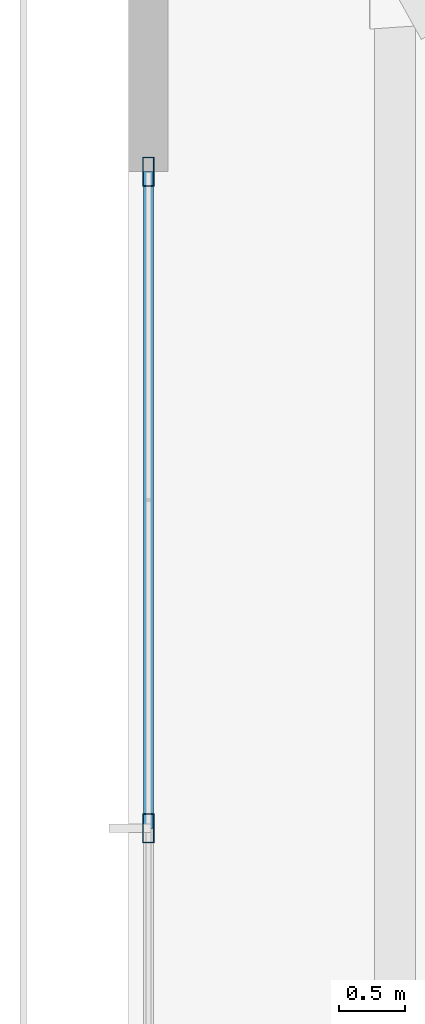
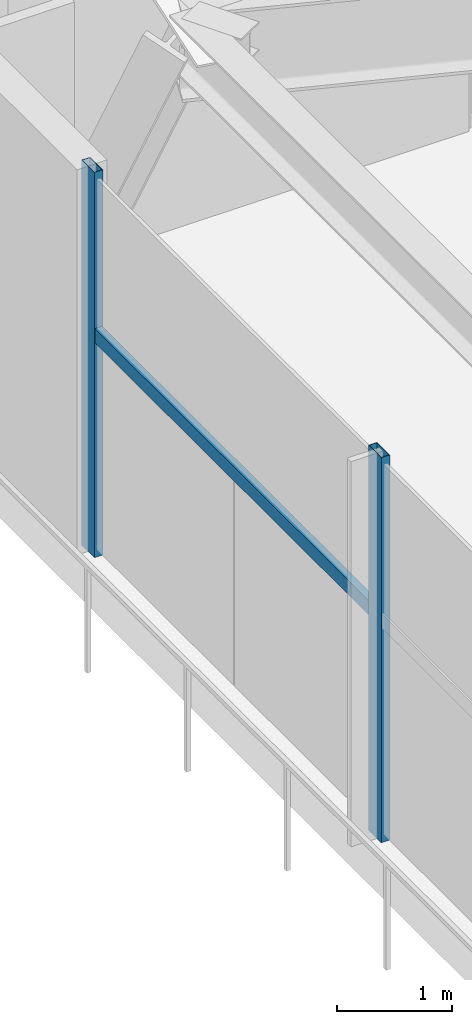
# One storey, part 10 of 33: 3 members, 1 element without a shape of its own.
"""IFC4 building model written with IfcOpenShell, lengths in metres."""

from ifc_helpers import new_model, si_unit, direction, frame, origin, origin_2d, place, context, subcontext, project, spatial, hollow_rectangle, extrude, source, transform, mapped, material, material_profile, profile_set, type_object, type_shapes, element, aggregate, save


model = new_model("IFC4")

# Units and contexts
model_context = context("Model", 3, precision=1e-05, world=origin(), true_north=direction((0.0, 1.0)))
body_context = subcontext(model_context, "Body", "Model", "MODEL_VIEW")
ifc_project = project(units=[si_unit("LENGTHUNIT", "METRE"), si_unit("AREAUNIT", "SQUARE_METRE"), si_unit("VOLUMEUNIT", "CUBIC_METRE"), si_unit("PLANEANGLEUNIT", "RADIAN"), si_unit("MASSUNIT", "GRAM", prefix="KILO")], contexts=[model_context])

# Site, building, storey
site_placement = place(None, origin())
site = spatial("IfcSite", under=ifc_project, at=site_placement, CompositionType="ELEMENT")
building_placement = place(site_placement, origin())
building = spatial("IfcBuilding", under=site, at=building_placement, Name="Astriad Promenade Condominiums", CompositionType="ELEMENT")
storey_placement = place(building_placement, frame((0.0, 0.0, 9.5)))
storey = spatial("IfcBuildingStorey", under=building, at=storey_placement, Name="L02", CompositionType="ELEMENT", Elevation=9.5)

# Curtain wall, members
ifc_material_1 = material(Name="Anodised aluminium Black Dark Glass Unitised", Category="aluminium")
curtain_wall_type = type_object("IfcCurtainWallType", Name="CW-POD-DARK", PredefinedType="USERDEFINED", material=ifc_material_1)
curtain_wall_placement = place(storey_placement, origin())
curtain_wall = element("IfcCurtainWall", 1, at=curtain_wall_placement, inside=storey, type_object=curtain_wall_type, Name="CW-L02-W", ObjectType="UNITISED_CURTAIN_WALL", PredefinedType="USERDEFINED")
ifc_material_2 = material(Name="Anodised aluminium 6063-T6 Black", Category="aluminium")
ifc_material_profile_1 = material_profile(ifc_material_2, hollow_rectangle(XDim=0.0849609375, YDim=0.219970703125, WallThickness=0.0048828125, at=origin_2d()), Name="ALU-MUL-85X220")
ifc_profile_set_1 = profile_set([ifc_material_profile_1], Name="Anodised aluminium 6063-T6 Black")
member_type_1 = type_object("IfcMemberType", Name="MUL-ALU-MUL-85X220", PredefinedType="MULLION", material=ifc_profile_set_1)
shared_shape_1 = source(origin(), body_context, "Body", "SweptSolid", [
    extrude(hollow_rectangle(XDim=0.0849609375, YDim=0.219970703125, WallThickness=0.0048828125, at=origin_2d()), origin(), (0.0, 0.0, 1.0), 4.080078125),
])
type_shapes(member_type_1, [shared_shape_1])
member_1_placement = place(storey_placement, frame((2.75, 25.27001953125, 0.0), z_axis=(0.0, 0.0, 1.0), x_axis=(1.0, 0.0, 0.0)))
member_1 = element("IfcMember", 2, at=member_1_placement, type_object=member_type_1, Name="CW-L02-W-MUL-04", PredefinedType="MULLION", context=body_context, shape_type="MappedRepresentation", body=[
    mapped(shared_shape_1, transform((0.0, 0.0, 0.0), scale=1.0)),
])
member_2_placement = place(storey_placement, frame((2.75, 30.25, 0.0), z_axis=(0.0, 0.0, 1.0), x_axis=(1.0, 0.0, 0.0)))
member_2 = element("IfcMember", 3, at=member_2_placement, type_object=member_type_1, Name="CW-L02-W-MUL-05", PredefinedType="MULLION", context=body_context, shape_type="MappedRepresentation", body=[
    mapped(shared_shape_1, transform((0.0, 0.0, 0.0), scale=1.0)),
])
ifc_material_profile_2 = material_profile(ifc_material_2, hollow_rectangle(XDim=0.074951171875, YDim=0.14990234375, WallThickness=0.004150390625, at=origin_2d()), Name="ALU-TRN-75X150")
ifc_profile_set_2 = profile_set([ifc_material_profile_2], Name="Anodised aluminium 6063-T6 Black")
member_type_2 = type_object("IfcMemberType", Name="TRN-ALU-TRN-75X150", PredefinedType="USERDEFINED", material=ifc_profile_set_2)
shared_shape_2 = source(origin(), body_context, "Body", "SweptSolid", [
    extrude(hollow_rectangle(XDim=0.074951171875, YDim=0.14990234375, WallThickness=0.004150390625, at=origin_2d()), origin(), (0.0, 0.0, 1.0), 4.97998046875),
])
type_shapes(member_type_2, [shared_shape_2])
member_3_placement = place(storey_placement, frame((2.75, 25.27001953125, 2.35009765625), z_axis=(0.0, 1.0, 0.0), x_axis=(-1.0, 0.0, 0.0)))
member_3 = element("IfcMember", 4, at=member_3_placement, type_object=member_type_2, Name="CW-L02-W-TRN-04-0", ObjectType="TRANSOM", PredefinedType="USERDEFINED", context=body_context, shape_type="MappedRepresentation", body=[
    mapped(shared_shape_2, transform((0.0, 0.0, 0.0), scale=1.0)),
])
aggregate(curtain_wall, [member_1, member_2, member_3])

save(model, "model.ifc")
